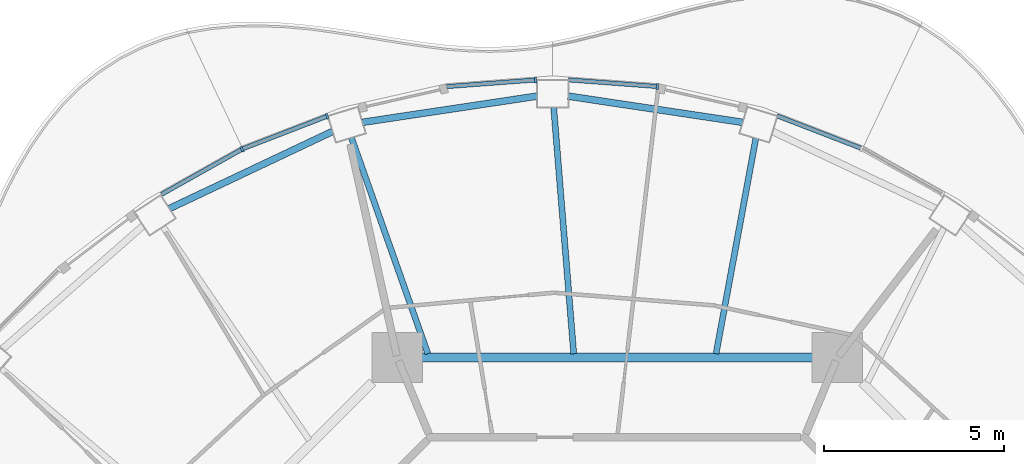
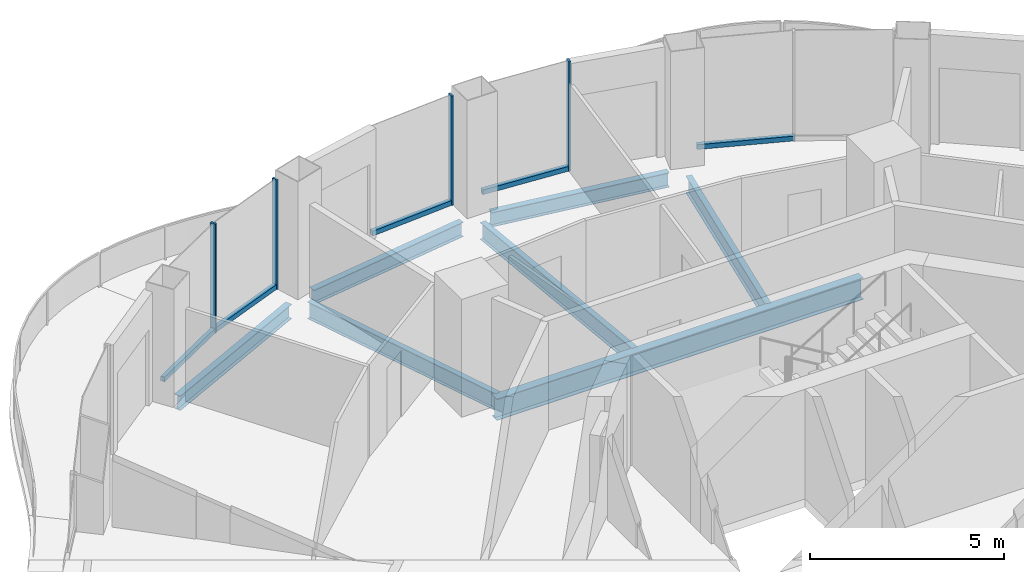
# One storey, part 6 of 17: 9 members, 7 beams, 5 elements without a shape of their own.
"""IFC4 building model written with IfcOpenShell, lengths in metres."""

from ifc_helpers import new_model, si_unit, direction, frame, origin, origin_2d, place, context, subcontext, project, spatial, rectangle, i_section, extrude, material, layer, layer_set, material_profile, profile_set, type_object, element, aggregate, save


model = new_model("IFC4")

# Units and contexts
model_context = context("Model", 3, precision=1e-05, world=origin(), true_north=direction((0.0, 1.0)))
body_context = subcontext(model_context, "Body", "Model", "MODEL_VIEW")
ifc_project = project(units=[si_unit("LENGTHUNIT", "METRE"), si_unit("AREAUNIT", "SQUARE_METRE"), si_unit("VOLUMEUNIT", "CUBIC_METRE"), si_unit("PLANEANGLEUNIT", "RADIAN"), si_unit("MASSUNIT", "GRAM", prefix="KILO")], contexts=[model_context])

# Site, building, storey
site_placement = place(None, origin())
site = spatial("IfcSite", under=ifc_project, at=site_placement, CompositionType="ELEMENT")
building_placement = place(site_placement, origin())
building = spatial("IfcBuilding", under=site, at=building_placement, Name="Nagisa Residences", CompositionType="ELEMENT")
storey_placement = place(building_placement, frame((0.0, 0.0, 288.10009765625)))
storey = spatial("IfcBuildingStorey", under=building, at=storey_placement, Name="L73", CompositionType="ELEMENT", Elevation=288.10009765625)

# Curtain wall, member
ifc_material_1 = material(Name="Concrete-coloured aluminium curtain wall system", Category="concrete")
ifc_layer = layer(ifc_material_1, 0.159912109375)
ifc_layer_set = layer_set([ifc_layer], Name="CW1 CURTAIN WALL")
curtain_wall_type = type_object("IfcCurtainWallType", Name="CW1 CURTAIN WALL", PredefinedType="NOTDEFINED", material=ifc_layer_set)
curtain_wall_1_placement = place(storey_placement, origin())
curtain_wall_1 = element("IfcCurtainWall", 1, at=curtain_wall_1_placement, inside=storey, type_object=curtain_wall_type, Name="cw:CW1:L73:11", PredefinedType="NOTDEFINED")
ifc_material_2 = material(Name="Concrete-coloured aluminium", Category="concrete")
ifc_material_profile_1 = material_profile(ifc_material_2, rectangle(XDim=0.159912109375, YDim=0.06005859375, at=origin_2d()), Name="CW1 MULLION 160x60")
ifc_profile_set_1 = profile_set([ifc_material_profile_1], Name="Concrete-coloured aluminium")
member_type_1 = type_object("IfcMemberType", Name="CW1 MULLION 160x60", PredefinedType="MULLION", material=ifc_profile_set_1)
member_1_placement = place(storey_placement, frame((1.11669921875, 22.324462890625, 0.0), z_axis=(0.0, 0.0, 1.0), x_axis=(-0.074377355493, -0.997230168512, 0.0)))
member_1 = element("IfcMember", 2, at=member_1_placement, type_object=member_type_1, Name="CW1 mullion", PredefinedType="MULLION", context=body_context, shape_type="SweptSolid", body=[
    extrude(rectangle(XDim=0.159912109375, YDim=0.06005859375, at=origin_2d()), origin(), (0.0, 0.0, 1.0), 3.43994140625),
])

curtain_wall_2_placement = place(storey_placement, origin())
curtain_wall_2 = element("IfcCurtainWall", 3, at=curtain_wall_2_placement, inside=storey, type_object=curtain_wall_type, Name="cw:CW1:L73:12", PredefinedType="NOTDEFINED")
member_2_placement = place(storey_placement, frame((-2.272705078125, 22.5068359375, 0.0), z_axis=(0.0, 0.0, 1.0), x_axis=(0.074377355493, -0.997230168512, 0.0)))
member_2 = element("IfcMember", 4, at=member_2_placement, type_object=member_type_1, Name="CW1 mullion", PredefinedType="MULLION", context=body_context, shape_type="SweptSolid", body=[
    extrude(rectangle(XDim=0.159912109375, YDim=0.06005859375, at=origin_2d()), origin(), (0.0, 0.0, 1.0), 3.43994140625),
])

curtain_wall_3_placement = place(storey_placement, origin())
curtain_wall_3 = element("IfcCurtainWall", 5, at=curtain_wall_3_placement, inside=storey, type_object=curtain_wall_type, Name="cw:CW1:L73:14", PredefinedType="NOTDEFINED")
member_3_placement = place(storey_placement, frame((-8.073486328125, 21.49755859375, 0.0), z_axis=(0.0, 0.0, 1.0), x_axis=(0.360327770268, -0.932825759707, 0.0)))
member_3 = element("IfcMember", 6, at=member_3_placement, type_object=member_type_1, Name="CW1 mullion", PredefinedType="MULLION", context=body_context, shape_type="SweptSolid", body=[
    extrude(rectangle(XDim=0.159912109375, YDim=0.06005859375, at=origin_2d()), origin(), (0.0, 0.0, 1.0), 3.43994140625),
])

curtain_wall_4_placement = place(storey_placement, origin())
curtain_wall_4 = element("IfcCurtainWall", 7, at=curtain_wall_4_placement, inside=storey, type_object=curtain_wall_type, Name="cw:CW1:L73:15", PredefinedType="NOTDEFINED")
member_4_placement = place(storey_placement, frame((-10.443359375, 20.57861328125, 0.0), z_axis=(0.0, 0.0, 1.0), x_axis=(0.489376918501, -0.872072377523, 0.0)))
member_4 = element("IfcMember", 8, at=member_4_placement, type_object=member_type_1, Name="CW1 mullion", PredefinedType="MULLION", context=body_context, shape_type="SweptSolid", body=[
    extrude(rectangle(XDim=0.159912109375, YDim=0.06005859375, at=origin_2d()), origin(), (0.0, 0.0, 1.0), 3.43994140625),
])

curtain_wall_5_placement = place(storey_placement, origin())
curtain_wall_5 = element("IfcCurtainWall", 9, at=curtain_wall_5_placement, inside=storey, type_object=curtain_wall_type, Name="cw:CW1:L73:09", PredefinedType="NOTDEFINED")
ifc_material_3 = material(Name="Concrete-coloured aluminium", Category="concrete")
ifc_material_profile_2 = material_profile(ifc_material_3, rectangle(XDim=0.1201171875, YDim=0.14990234375, at=origin_2d()), Name="CW1 TRANSOM 120x150")
ifc_profile_set_2 = profile_set([ifc_material_profile_2], Name="Concrete-coloured aluminium")
member_type_2 = type_object("IfcMemberType", Name="CW1 TRANSOM 120x150", PredefinedType="USERDEFINED", material=ifc_profile_set_2)
member_5_placement = place(storey_placement, frame((6.827392578125, 20.58837890625, 0.074951171875), z_axis=(-0.93282223778, 0.360336887792, 0.0), x_axis=(-0.360336887792, -0.93282223778, 0.0)))
member_5 = element("IfcMember", 10, at=member_5_placement, type_object=member_type_2, Name="CW1 transom", ObjectType="TRANSOM", PredefinedType="USERDEFINED", context=body_context, shape_type="SweptSolid", body=[
    extrude(rectangle(XDim=0.1201171875, YDim=0.14990234375, at=origin_2d()), origin(), (0.0, 0.0, 1.0), 2.5537109375),
])
aggregate(curtain_wall_5, [member_5])

# Member
member_6_placement = place(storey_placement, frame((1.146484375, 22.322265625, 0.074951171875), z_axis=(-0.99722914645, 0.074391057731, 0.0), x_axis=(-0.074391057731, -0.99722914645, 0.0)))
member_6 = element("IfcMember", 11, at=member_6_placement, type_object=member_type_2, Name="CW1 transom", ObjectType="TRANSOM", PredefinedType="USERDEFINED", context=body_context, shape_type="SweptSolid", body=[
    extrude(rectangle(XDim=0.1201171875, YDim=0.14990234375, at=origin_2d()), origin(), (0.0, 0.0, 1.0), 2.510498046875),
])

aggregate(curtain_wall_1, [member_1, member_6])

member_7_placement = place(storey_placement, frame((-2.242919921875, 22.509033203125, 0.074951171875), z_axis=(-0.99722914645, -0.074391057731, 0.0), x_axis=(0.074391057731, -0.99722914645, 0.0)))
member_7 = element("IfcMember", 12, at=member_7_placement, type_object=member_type_2, Name="CW1 transom", ObjectType="TRANSOM", PredefinedType="USERDEFINED", context=body_context, shape_type="SweptSolid", body=[
    extrude(rectangle(XDim=0.1201171875, YDim=0.14990234375, at=origin_2d()), origin(), (0.0, 0.0, 1.0), 2.510498046875),
])

aggregate(curtain_wall_2, [member_2, member_7])

member_8_placement = place(storey_placement, frame((-8.04541015625, 21.508544921875, 0.074951171875), z_axis=(-0.93282223778, -0.360336887792, 0.0), x_axis=(0.360336887792, -0.93282223778, 0.0)))
member_8 = element("IfcMember", 13, at=member_8_placement, type_object=member_type_2, Name="CW1 transom", ObjectType="TRANSOM", PredefinedType="USERDEFINED", context=body_context, shape_type="SweptSolid", body=[
    extrude(rectangle(XDim=0.1201171875, YDim=0.14990234375, at=origin_2d()), origin(), (0.0, 0.0, 1.0), 2.5537109375),
])

aggregate(curtain_wall_3, [member_3, member_8])

member_9_placement = place(storey_placement, frame((-10.417236328125, 20.59326171875, 0.074951171875), z_axis=(-0.872052877201, -0.489411666561, 0.0), x_axis=(0.489411666561, -0.872052877201, 0.0)))
member_9 = element("IfcMember", 14, at=member_9_placement, type_object=member_type_2, Name="CW1 transom", ObjectType="TRANSOM", PredefinedType="USERDEFINED", context=body_context, shape_type="SweptSolid", body=[
    extrude(rectangle(XDim=0.1201171875, YDim=0.14990234375, at=origin_2d()), origin(), (0.0, 0.0, 1.0), 2.593017578125),
])

aggregate(curtain_wall_4, [member_4, member_9])

# Beams
ifc_material_4 = material(Name="Steel ASTM A572 Gr 50", Category="steel")
ifc_material_profile_3 = material_profile(ifc_material_4, i_section(OverallWidth=0.2529296875, OverallDepth=0.677978515625, WebThickness=0.01171875, FlangeThickness=0.016357421875, at=origin_2d()), Name="W690x125")
ifc_profile_set_3 = profile_set([ifc_material_profile_3], Name="Steel ASTM A572 Gr 50")
beam_type_1 = type_object("IfcBeamType", Name="Inner ring beam W690x125", PredefinedType="BEAM", material=ifc_profile_set_3)
beam_1_placement = place(storey_placement, frame((5.44287109375, 14.781982421875, -0.59912109375), z_axis=(-1.0, 0.0, 0.0), x_axis=(0.0, -1.0, 0.0)))
element("IfcBeam", 15, at=beam_1_placement, inside=storey, type_object=beam_type_1, Name="beam:L73:ib2", PredefinedType="BEAM", context=body_context, shape_type="SweptSolid", body=[
    extrude(i_section(OverallWidth=0.2529296875, OverallDepth=0.677978515625, WebThickness=0.01171875, FlangeThickness=0.016357421875, at=origin_2d()), origin(), (0.0, 0.0, 1.0), 10.8857421875),
])
ifc_material_5 = material(Name="Steel ASTM A572 Gr 50", Category="steel")
ifc_material_profile_4 = material_profile(ifc_material_5, i_section(OverallWidth=0.18994140625, OverallDepth=0.45703125, WebThickness=0.009033203125, FlangeThickness=0.014404296875, at=origin_2d()), Name="W460x74")
ifc_profile_set_4 = profile_set([ifc_material_profile_4], Name="Steel ASTM A572 Gr 50")
beam_type_2 = type_object("IfcBeamType", Name="Perimeter ring beam W460x74", PredefinedType="BEAM", material=ifc_profile_set_4)
beam_2_placement = place(storey_placement, frame((3.4951171875, 21.326904296875, -0.488525390625), z_axis=(-0.988907577601, 0.148532161377, 0.0), x_axis=(-0.148532161377, -0.988907577601, 0.0)))
element("IfcBeam", 16, at=beam_2_placement, inside=storey, type_object=beam_type_2, Name="beam:L73:pb06", PredefinedType="BEAM", context=body_context, shape_type="SweptSolid", body=[
    extrude(i_section(OverallWidth=0.18994140625, OverallDepth=0.45703125, WebThickness=0.009033203125, FlangeThickness=0.014404296875, at=origin_2d()), origin(), (0.0, 0.0, 1.0), 4.919677734375),
])
beam_3_placement = place(storey_placement, frame((-2.230224609375, 22.0576171875, -0.488525390625), z_axis=(-0.98890648267, -0.148539451101, 0.0), x_axis=(0.148539451101, -0.98890648267, 0.0)))
element("IfcBeam", 17, at=beam_3_placement, inside=storey, type_object=beam_type_2, Name="beam:L73:pb07", PredefinedType="BEAM", context=body_context, shape_type="SweptSolid", body=[
    extrude(i_section(OverallWidth=0.18994140625, OverallDepth=0.45703125, WebThickness=0.009033203125, FlangeThickness=0.014404296875, at=origin_2d()), origin(), (0.0, 0.0, 1.0), 4.91943359375),
])
beam_4_placement = place(storey_placement, frame((-7.918212890625, 21.076416015625, -0.488525390625), z_axis=(-0.904115893837, -0.427287316113, 0.0), x_axis=(0.427287316113, -0.904115893837, 0.0)))
element("IfcBeam", 18, at=beam_4_placement, inside=storey, type_object=beam_type_2, Name="beam:L73:pb08", PredefinedType="BEAM", context=body_context, shape_type="SweptSolid", body=[
    extrude(i_section(OverallWidth=0.18994140625, OverallDepth=0.45703125, WebThickness=0.009033203125, FlangeThickness=0.014404296875, at=origin_2d()), origin(), (0.0, 0.0, 1.0), 5.031494140625),
])
ifc_material_6 = material(Name="Steel ASTM A572 Gr 50", Category="steel")
ifc_material_profile_5 = material_profile(ifc_material_6, i_section(OverallWidth=0.166015625, OverallDepth=0.534912109375, WebThickness=0.01025390625, FlangeThickness=0.0166015625, at=origin_2d()), Name="W530x85")
ifc_profile_set_5 = profile_set([ifc_material_profile_5], Name="Steel ASTM A572 Gr 50")
beam_type_3 = type_object("IfcBeamType", Name="Radial beam W530x85", PredefinedType="BEAM", material=ifc_profile_set_5)
beam_5_placement = place(storey_placement, frame((3.855712890625, 20.885986328125, -0.527587890625), z_axis=(-0.18155164865, -0.983381410681, 0.0), x_axis=(0.983381410681, -0.18155164865, 0.0)))
element("IfcBeam", 19, at=beam_5_placement, inside=storey, type_object=beam_type_3, Name="beam:L73:rb06", PredefinedType="BEAM", context=body_context, shape_type="SweptSolid", body=[
    extrude(i_section(OverallWidth=0.166015625, OverallDepth=0.534912109375, WebThickness=0.01025390625, FlangeThickness=0.0166015625, at=origin_2d()), origin(), (0.0, 0.0, 1.0), 6.098388671875),
])
beam_6_placement = place(storey_placement, frame((-1.76904296875, 21.7421875, -0.527587890625), z_axis=(0.081094239996, -0.996706438346, 0.0), x_axis=(0.996706438346, 0.081094239996, 0.0)))
element("IfcBeam", 20, at=beam_6_placement, inside=storey, type_object=beam_type_3, Name="beam:L73:rb07", PredefinedType="BEAM", context=body_context, shape_type="SweptSolid", body=[
    extrude(i_section(OverallWidth=0.166015625, OverallDepth=0.534912109375, WebThickness=0.01025390625, FlangeThickness=0.0166015625, at=origin_2d()), origin(), (0.0, 0.0, 1.0), 6.876220703125),
])
beam_7_placement = place(storey_placement, frame((-7.398193359375, 20.903564453125, -0.527587890625), z_axis=(0.333636730814, -0.942701719449, 0.0), x_axis=(0.942701719449, 0.333636730814, 0.0)))
element("IfcBeam", 21, at=beam_7_placement, inside=storey, type_object=beam_type_3, Name="beam:L73:rb08", PredefinedType="BEAM", context=body_context, shape_type="SweptSolid", body=[
    extrude(i_section(OverallWidth=0.166015625, OverallDepth=0.534912109375, WebThickness=0.01025390625, FlangeThickness=0.0166015625, at=origin_2d()), origin(), (0.0, 0.0, 1.0), 6.37939453125),
])

save(model, "model.ifc")
